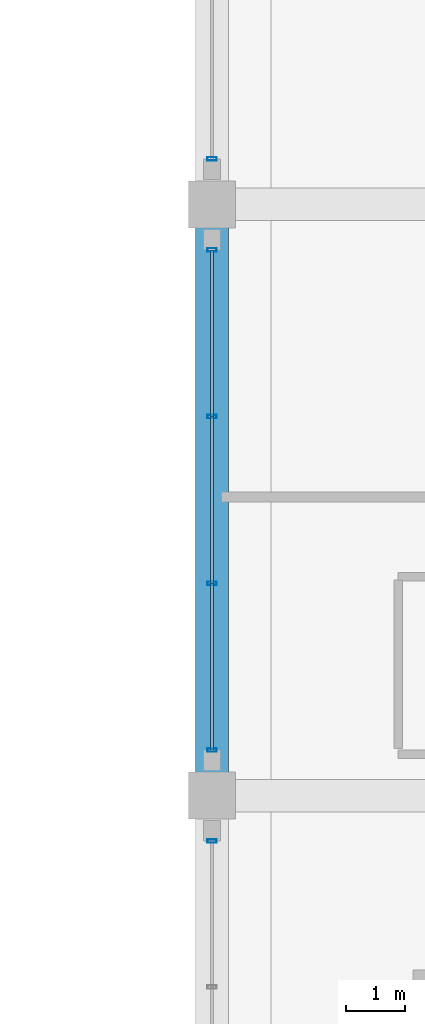
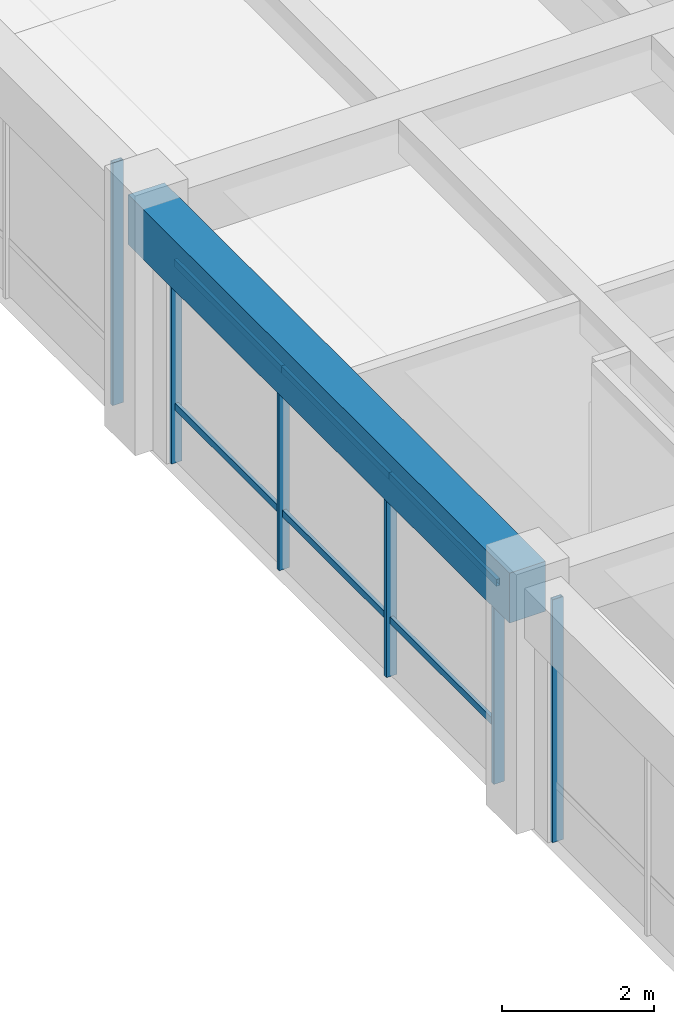
# One storey, part 13 of 33: 12 members, 1 beam, 3 elements without a shape of their own.
"""IFC4 building model written with IfcOpenShell, lengths in metres."""

from ifc_helpers import new_model, si_unit, direction, frame, origin, origin_2d, place, context, subcontext, project, spatial, rectangle, hollow_rectangle, extrude, material, material_profile, profile_set, type_object, element, aggregate, save


model = new_model("IFC4")

# Units and contexts
model_context = context("Model", 3, precision=1e-05, world=origin(), true_north=direction((0.0, 1.0)))
body_context = subcontext(model_context, "Body", "Model", "MODEL_VIEW")
ifc_project = project(units=[si_unit("LENGTHUNIT", "METRE"), si_unit("AREAUNIT", "SQUARE_METRE"), si_unit("VOLUMEUNIT", "CUBIC_METRE"), si_unit("PLANEANGLEUNIT", "RADIAN"), si_unit("MASSUNIT", "GRAM", prefix="KILO")], contexts=[model_context])

# Site, building, storey
site_placement = place(None, origin())
site = spatial("IfcSite", under=ifc_project, at=site_placement, CompositionType="ELEMENT")
building_placement = place(site_placement, origin())
building = spatial("IfcBuilding", under=site, at=building_placement, Name="Ologun Quay Terminus", CompositionType="ELEMENT")
storey_placement = place(building_placement, frame((0.0, 0.0, 18.300048828125)))
storey = spatial("IfcBuildingStorey", under=building, at=storey_placement, Name="L04", CompositionType="ELEMENT", Elevation=18.300048828125)

# Curtain wall, member
ifc_material_1 = material(Name="Aluminium 6063-T6", Category="aluminium")
curtain_wall_type = type_object("IfcCurtainWallType", Name="Rain-Garden East Courtyard Curtain Wall L04 9200x3800", PredefinedType="USERDEFINED", material=ifc_material_1)
curtain_wall_1_placement = place(storey_placement, origin())
curtain_wall_1 = element("IfcCurtainWall", 1, at=curtain_wall_1_placement, inside=storey, type_object=curtain_wall_type, Name="CW-21 Curtain Wall CW-L04-149", ObjectType="UNITISED CURTAIN WALL", PredefinedType="USERDEFINED")
ifc_material_2 = material(Name="Aluminium 6063-T6", Category="aluminium")
ifc_material_profile_1 = material_profile(ifc_material_2, hollow_rectangle(XDim=0.06005859375, YDim=0.159912109375, WallThickness=0.00390625, at=origin_2d()), Name="ALU 160x60x4")
ifc_profile_set_1 = profile_set([ifc_material_profile_1], Name="Aluminium 6063-T6")
member_type_1 = type_object("IfcMemberType", Name="Courtyard Screen Mullion 160x65", PredefinedType="MULLION", material=ifc_profile_set_1)
member_1_placement = place(storey_placement, frame((115.0, 94.030029296875, 0.0), z_axis=(0.0, 0.0, 1.0), x_axis=(0.0, 1.0, 0.0)))
member_1 = element("IfcMember", 2, at=member_1_placement, type_object=member_type_1, Name="CW-L04-149 Mullion 4", PredefinedType="MULLION", context=body_context, shape_type="SweptSolid", body=[
    extrude(hollow_rectangle(XDim=0.06005859375, YDim=0.159912109375, WallThickness=0.00390625, at=origin_2d()), origin(), (0.0, 0.0, 1.0), 3.889892578125),
])
aggregate(curtain_wall_1, [member_1])

# Curtain wall, members
curtain_wall_2_placement = place(storey_placement, origin())
curtain_wall_2 = element("IfcCurtainWall", 3, at=curtain_wall_2_placement, inside=storey, type_object=curtain_wall_type, Name="CW-21 Curtain Wall CW-L04-150", ObjectType="UNITISED CURTAIN WALL", PredefinedType="USERDEFINED")
member_2_placement = place(storey_placement, frame((115.0, 95.570068359375, 0.0), z_axis=(0.0, 0.0, 1.0), x_axis=(0.0, 1.0, 0.0)))
member_2 = element("IfcMember", 4, at=member_2_placement, type_object=member_type_1, Name="CW-L04-150 Mullion 1", PredefinedType="MULLION", context=body_context, shape_type="SweptSolid", body=[
    extrude(hollow_rectangle(XDim=0.06005859375, YDim=0.159912109375, WallThickness=0.00390625, at=origin_2d()), origin(), (0.0, 0.0, 1.0), 3.889892578125),
])
member_3_placement = place(storey_placement, frame((115.0, 98.389892578125, 0.0), z_axis=(0.0, 0.0, 1.0), x_axis=(0.0, 1.0, 0.0)))
member_3 = element("IfcMember", 5, at=member_3_placement, type_object=member_type_1, Name="CW-L04-150 Mullion 2", PredefinedType="MULLION", context=body_context, shape_type="SweptSolid", body=[
    extrude(hollow_rectangle(XDim=0.06005859375, YDim=0.159912109375, WallThickness=0.00390625, at=origin_2d()), origin(), (0.0, 0.0, 1.0), 3.889892578125),
])
member_4_placement = place(storey_placement, frame((115.0, 101.2099609375, 0.0), z_axis=(0.0, 0.0, 1.0), x_axis=(0.0, 1.0, 0.0)))
member_4 = element("IfcMember", 6, at=member_4_placement, type_object=member_type_1, Name="CW-L04-150 Mullion 3", PredefinedType="MULLION", context=body_context, shape_type="SweptSolid", body=[
    extrude(hollow_rectangle(XDim=0.06005859375, YDim=0.159912109375, WallThickness=0.00390625, at=origin_2d()), origin(), (0.0, 0.0, 1.0), 3.889892578125),
])
member_5_placement = place(storey_placement, frame((115.0, 104.030029296875, 0.0), z_axis=(0.0, 0.0, 1.0), x_axis=(0.0, 1.0, 0.0)))
member_5 = element("IfcMember", 7, at=member_5_placement, type_object=member_type_1, Name="CW-L04-150 Mullion 4", PredefinedType="MULLION", context=body_context, shape_type="SweptSolid", body=[
    extrude(hollow_rectangle(XDim=0.06005859375, YDim=0.159912109375, WallThickness=0.00390625, at=origin_2d()), origin(), (0.0, 0.0, 1.0), 3.889892578125),
])

# Curtain wall, member
curtain_wall_3_placement = place(storey_placement, origin())
curtain_wall_3 = element("IfcCurtainWall", 8, at=curtain_wall_3_placement, inside=storey, type_object=curtain_wall_type, Name="CW-21 Curtain Wall CW-L04-151", ObjectType="UNITISED CURTAIN WALL", PredefinedType="USERDEFINED")
member_6_placement = place(storey_placement, frame((115.0, 105.570068359375, 0.0), z_axis=(0.0, 0.0, 1.0), x_axis=(0.0, 1.0, 0.0)))
member_6 = element("IfcMember", 9, at=member_6_placement, type_object=member_type_1, Name="CW-L04-151 Mullion 1", PredefinedType="MULLION", context=body_context, shape_type="SweptSolid", body=[
    extrude(hollow_rectangle(XDim=0.06005859375, YDim=0.159912109375, WallThickness=0.00390625, at=origin_2d()), origin(), (0.0, 0.0, 1.0), 3.889892578125),
])
aggregate(curtain_wall_3, [member_6])

# Member
ifc_material_3 = material(Name="Aluminium 6063-T6", Category="aluminium")
ifc_material_profile_2 = material_profile(ifc_material_3, hollow_rectangle(XDim=0.054931640625, YDim=0.110107421875, WallThickness=0.00390625, at=origin_2d()), Name="ALU 110x55x4")
ifc_profile_set_2 = profile_set([ifc_material_profile_2], Name="Aluminium 6063-T6")
member_type_2 = type_object("IfcMemberType", Name="Courtyard Screen Transom 110x55", PredefinedType="USERDEFINED", material=ifc_profile_set_2)
member_7_placement = place(storey_placement, frame((115.0, 95.570068359375, 0.89990234375), z_axis=(0.0, 1.0, 0.0), x_axis=(-1.0, 0.0, 0.0)))
member_7 = element("IfcMember", 10, at=member_7_placement, type_object=member_type_2, Name="CW-L04-150 Transom B1-1", ObjectType="TRANSOM", PredefinedType="USERDEFINED", context=body_context, shape_type="SweptSolid", body=[
    extrude(hollow_rectangle(XDim=0.054931640625, YDim=0.110107421875, WallThickness=0.00390625, at=origin_2d()), origin(), (0.0, 0.0, 1.0), 2.81982421875),
])

member_8_placement = place(storey_placement, frame((115.0, 95.570068359375, 3.18994140625), z_axis=(0.0, 1.0, 0.0), x_axis=(-1.0, 0.0, 0.0)))
member_8 = element("IfcMember", 11, at=member_8_placement, type_object=member_type_2, Name="CW-L04-150 Transom B1-2", ObjectType="TRANSOM", PredefinedType="USERDEFINED", context=body_context, shape_type="SweptSolid", body=[
    extrude(hollow_rectangle(XDim=0.054931640625, YDim=0.110107421875, WallThickness=0.00390625, at=origin_2d()), origin(), (0.0, 0.0, 1.0), 2.81982421875),
])

member_9_placement = place(storey_placement, frame((115.0, 98.389892578125, 0.89990234375), z_axis=(0.0, 1.0, 0.0), x_axis=(-1.0, 0.0, 0.0)))
member_9 = element("IfcMember", 12, at=member_9_placement, type_object=member_type_2, Name="CW-L04-150 Transom B2-1", ObjectType="TRANSOM", PredefinedType="USERDEFINED", context=body_context, shape_type="SweptSolid", body=[
    extrude(hollow_rectangle(XDim=0.054931640625, YDim=0.110107421875, WallThickness=0.00390625, at=origin_2d()), origin(), (0.0, 0.0, 1.0), 2.820068359375),
])

member_10_placement = place(storey_placement, frame((115.0, 98.389892578125, 3.18994140625), z_axis=(0.0, 1.0, 0.0), x_axis=(-1.0, 0.0, 0.0)))
member_10 = element("IfcMember", 13, at=member_10_placement, type_object=member_type_2, Name="CW-L04-150 Transom B2-2", ObjectType="TRANSOM", PredefinedType="USERDEFINED", context=body_context, shape_type="SweptSolid", body=[
    extrude(hollow_rectangle(XDim=0.054931640625, YDim=0.110107421875, WallThickness=0.00390625, at=origin_2d()), origin(), (0.0, 0.0, 1.0), 2.820068359375),
])

member_11_placement = place(storey_placement, frame((115.0, 101.2099609375, 0.89990234375), z_axis=(0.0, 1.0, 0.0), x_axis=(-1.0, 0.0, 0.0)))
member_11 = element("IfcMember", 14, at=member_11_placement, type_object=member_type_2, Name="CW-L04-150 Transom B3-1", ObjectType="TRANSOM", PredefinedType="USERDEFINED", context=body_context, shape_type="SweptSolid", body=[
    extrude(hollow_rectangle(XDim=0.054931640625, YDim=0.110107421875, WallThickness=0.00390625, at=origin_2d()), origin(), (0.0, 0.0, 1.0), 2.820068359375),
])

member_12_placement = place(storey_placement, frame((115.0, 101.2099609375, 3.18994140625), z_axis=(0.0, 1.0, 0.0), x_axis=(-1.0, 0.0, 0.0)))
member_12 = element("IfcMember", 15, at=member_12_placement, type_object=member_type_2, Name="CW-L04-150 Transom B3-2", ObjectType="TRANSOM", PredefinedType="USERDEFINED", context=body_context, shape_type="SweptSolid", body=[
    extrude(hollow_rectangle(XDim=0.054931640625, YDim=0.110107421875, WallThickness=0.00390625, at=origin_2d()), origin(), (0.0, 0.0, 1.0), 2.820068359375),
])

aggregate(curtain_wall_2, [member_2, member_3, member_4, member_5, member_7, member_8, member_9, member_10, member_11, member_12])

# Beam
ifc_material_4 = material(Name="Concrete C40/50", Category="concrete")
ifc_material_profile_3 = material_profile(ifc_material_4, rectangle(XDim=0.550048828125, YDim=0.800048828125, at=origin_2d()), Name="RC 550x800")
ifc_profile_set_3 = profile_set([ifc_material_profile_3], Name="Concrete C40/50")
beam_type = type_object("IfcBeamType", Name="Courtyard Wing Primary Girder 550x800", PredefinedType="BEAM", material=ifc_profile_set_3)
beam_placement = place(storey_placement, frame((115.0, 94.800048828125, 3.5), z_axis=(0.0, 1.0, 0.0), x_axis=(-1.0, 0.0, 0.0)))
element("IfcBeam", 16, at=beam_placement, inside=storey, type_object=beam_type, Name="B4 Beam 11/H L04", PredefinedType="BEAM", context=body_context, shape_type="SweptSolid", body=[
    extrude(rectangle(XDim=0.550048828125, YDim=0.800048828125, at=origin_2d()), origin(), (0.0, 0.0, 1.0), 10.0),
])

save(model, "model.ifc")
